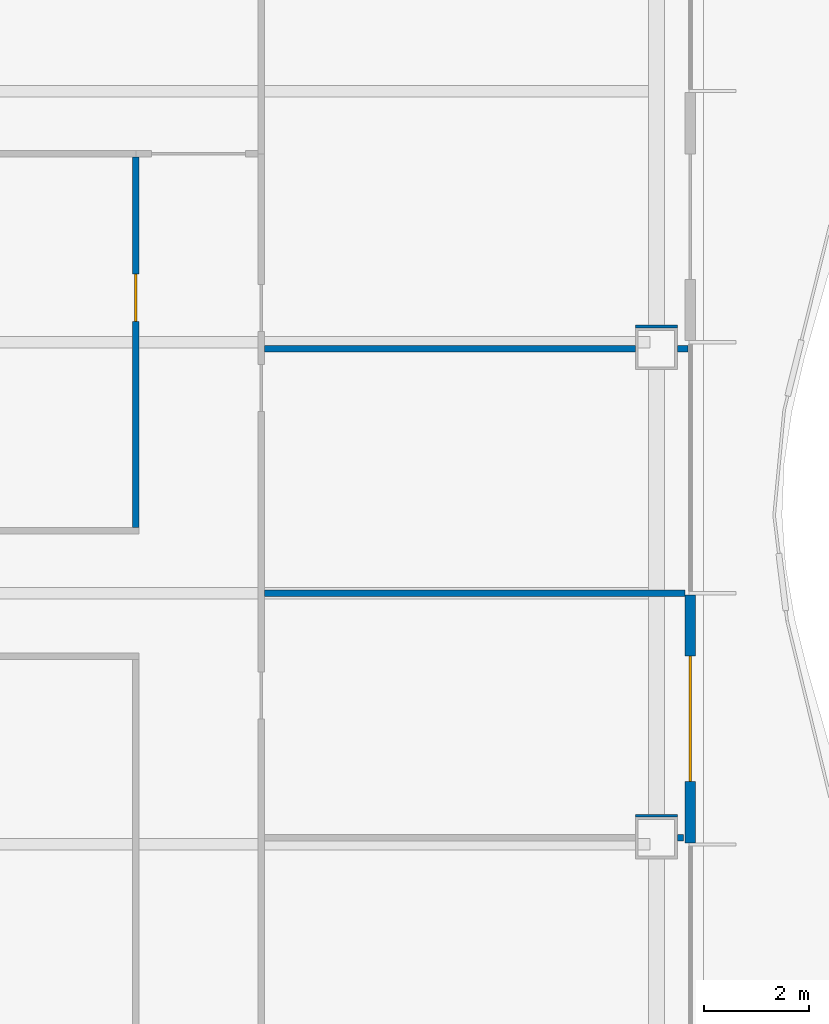
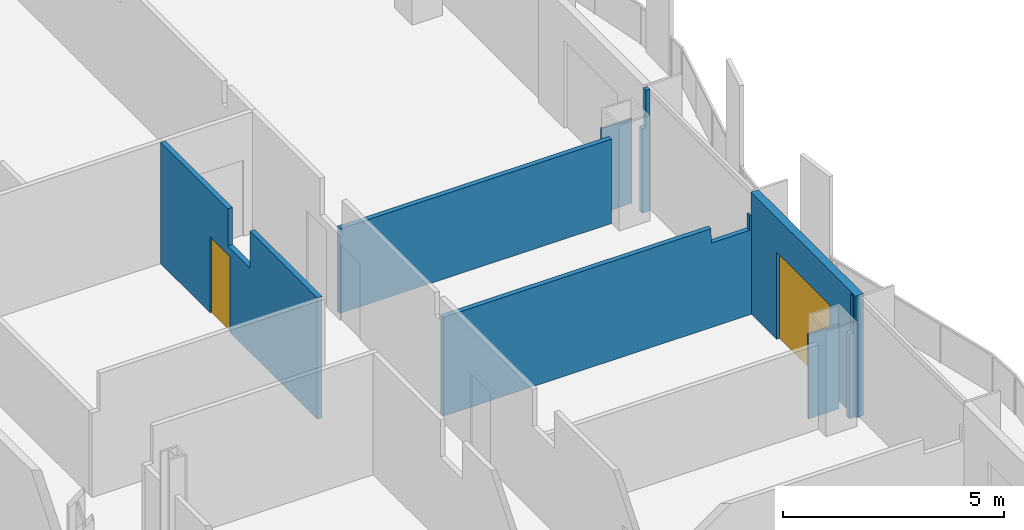
# One storey, part 12 of 23: 8 walls, 2 doors, 2 openings.
"""IFC4 building model written with IfcOpenShell, lengths in metres."""

import ifcopenshell
import ifcopenshell.guid

model = None  # the IFC model being written
_history = None  # IfcOwnerHistory: only IFC2X3 demands one
_inside = {}  # id of a spatial element -> (the spatial element, [elements in it])
_under = {}  # id of a project, library or spatial element -> (it, [spatial elements below it])
_declared = {}  # id of a project -> (the project, [libraries it declares])
_typed = {}  # id of a type object -> (the type object, [elements of that type])
_made_of = {}  # id of a material, layer set ... -> (it, [elements and type objects made of it])


def new_model(schema):
    """Start an empty IFC model of exactly this schema.

    Asked for "IFC4X3", IfcOpenShell would pick the latest addendum, in which some entities
    have other attributes; the version numbers below select the first issue.
    IFC2X3 requires an IfcOwnerHistory on every rooted entity: one is made here for all.
    """
    global model, _history
    if schema == "IFC4X3":
        model = ifcopenshell.file(schema_version=(4, 3, 0, 0))
    else:
        model = ifcopenshell.file(schema=schema)
    _inside.clear()
    _under.clear()
    _declared.clear()
    _typed.clear()
    _made_of.clear()
    _history = None
    if model.schema == "IFC2X3":
        org = make("IfcOrganization", Name="unknown")
        user = make(
            "IfcPersonAndOrganization",
            ThePerson=make("IfcPerson", FamilyName="unknown"),
            TheOrganization=org,
        )
        app = make(
            "IfcApplication",
            ApplicationDeveloper=org,
            Version="unknown",
            ApplicationFullName="unknown",
            ApplicationIdentifier="unknown",
        )
        _history = make(
            "IfcOwnerHistory",
            OwningUser=user,
            OwningApplication=app,
            ChangeAction="ADDED",
            CreationDate=0,
        )
    return model


def make(cls, **values):
    """One entity of the class cls with the attributes given. An attribute that is None is left unset."""
    return model.create_entity(
        cls, **{name: value for name, value in values.items() if value is not None}
    )


def rooted(cls, **values):
    """An entity with a GlobalId (a new one), such as an element, a storey or a relation."""
    return make(cls, GlobalId=ifcopenshell.guid.new(), OwnerHistory=_history, **values)


def si_unit(unit_type, name, prefix=None):
    """IfcSIUnit, for example si_unit("LENGTHUNIT", "METRE", prefix="MILLI")."""
    return make("IfcSIUnit", UnitType=unit_type, Prefix=prefix, Name=name)


def assignment(units):
    """IfcUnitAssignment: the units of a project."""
    return None if units is None else make("IfcUnitAssignment", Units=units)


def point(xyz):
    """IfcCartesianPoint."""
    return None if xyz is None else make("IfcCartesianPoint", Coordinates=xyz)


def direction(xyz):
    """IfcDirection."""
    return None if xyz is None else make("IfcDirection", DirectionRatios=xyz)


def frame(location, z_axis=None, x_axis=None):
    """IfcAxis2Placement3D, a coordinate frame: its origin and axes. An axis left out is left unset."""
    return make(
        "IfcAxis2Placement3D",
        Location=point(location),
        Axis=direction(z_axis),
        RefDirection=direction(x_axis),
    )


def frame_2d(location, x_axis=None):
    """IfcAxis2Placement2D, a coordinate frame in the plane: its origin and x axis."""
    return make(
        "IfcAxis2Placement2D", Location=point(location), RefDirection=direction(x_axis)
    )


def origin():
    """The frame at (0, 0, 0) with its axes left unset."""
    return frame((0.0, 0.0, 0.0))


def place(relative_to, where):
    """IfcLocalPlacement: puts the frame where relative to a parent placement (None: the world)."""
    return make(
        "IfcLocalPlacement", PlacementRelTo=relative_to, RelativePlacement=where
    )


def context(
    kind, dimensions, precision=None, world=None, true_north=None, identifier=None
):
    """IfcGeometricRepresentationContext, for example the 3D "Model" context."""
    return make(
        "IfcGeometricRepresentationContext",
        ContextIdentifier=identifier,
        ContextType=kind,
        CoordinateSpaceDimension=dimensions,
        Precision=precision,
        WorldCoordinateSystem=world,
        TrueNorth=true_north,
    )


def subcontext(parent, identifier, kind, view, scale=None):
    """IfcGeometricRepresentationSubContext, for example "Body" below "Model"."""
    return make(
        "IfcGeometricRepresentationSubContext",
        ContextIdentifier=identifier,
        ContextType=kind,
        ParentContext=parent,
        TargetScale=scale,
        TargetView=view,
    )


def project(units=None, contexts=None):
    """IfcProject with its units and contexts."""
    return rooted(
        "IfcProject",
        Name="project",
        RepresentationContexts=contexts,
        UnitsInContext=assignment(units),
    )


def spatial(cls, under=None, at=None, **own):
    """A site, building, storey or space (cls), placed at a placement, below another one or the project."""
    s = rooted(cls, ObjectPlacement=at, **own)
    if under is not None:
        _under.setdefault(under.id(), (under, []))[1].append(s)
    return s


def polyline(points):
    """IfcPolyline through the points."""
    return make("IfcPolyline", Points=[point(p) for p in points])


def profile(cls, at=None, kind="AREA", **sizes):
    """A parametric profile (cls). Its sizes go by their IFC names, for example OverallWidth=200.0."""
    return make(cls, ProfileType=kind, Position=at, **sizes)


def rectangle(**sizes):
    """IfcRectangleProfileDef."""
    return profile("IfcRectangleProfileDef", **sizes)


def outline(outer, holes=None, kind="AREA"):
    """IfcArbitraryClosedProfileDef: a profile drawn as a closed curve; with holes, ...WithVoids."""
    if holes is None:
        return make("IfcArbitraryClosedProfileDef", ProfileType=kind, OuterCurve=outer)
    return make(
        "IfcArbitraryProfileDefWithVoids",
        ProfileType=kind,
        OuterCurve=outer,
        InnerCurves=holes,
    )


def extrude(swept, where, along, depth):
    """IfcExtrudedAreaSolid: the profile swept, set in the frame where, extruded along a direction by depth."""
    return make(
        "IfcExtrudedAreaSolid",
        SweptArea=swept,
        Position=where,
        ExtrudedDirection=direction(along),
        Depth=depth,
    )


def shape(context_of_items, identifier, shape_type, items):
    """IfcShapeRepresentation: the items that make up one representation, for example the "Body"."""
    return make(
        "IfcShapeRepresentation",
        ContextOfItems=context_of_items,
        RepresentationIdentifier=identifier,
        RepresentationType=shape_type,
        Items=items,
    )


def material(Name=None, Category=None):
    """IfcMaterial."""
    return make("IfcMaterial", Name=Name, Category=Category)


def layer(
    of_material, thickness, ventilated=None, Name=None, Category=None, Priority=None
):
    """IfcMaterialLayer: one layer of a wall or slab, of a material (None: an air gap)."""
    return make(
        "IfcMaterialLayer",
        Material=of_material,
        LayerThickness=thickness,
        IsVentilated=ventilated,
        Name=Name,
        Category=Category,
        Priority=Priority,
    )


def layer_set(layers, Name=None):
    """IfcMaterialLayerSet."""
    return make("IfcMaterialLayerSet", MaterialLayers=layers, LayerSetName=Name)


def made_of(thing, what):
    """Note that an element or type object is made of a material, layer set ...; save() writes the relation."""
    if what is not None:
        _made_of.setdefault(what.id(), (what, []))[1].append(thing)
    return thing


def type_object(cls, material=None, **own):
    """A type object (cls), such as IfcWallType, which elements share."""
    return made_of(rooted(cls, **own), material)


def element(
    cls,
    number,
    at=None,
    inside=None,
    cuts=None,
    type_object=None,
    material=None,
    context=None,
    identifier="Body",
    shape_type=None,
    held_by="IfcProductDefinitionShape",
    body=None,
    shapes=None,
    **own,
):
    """One element of the class cls, such as IfcWall. Its Tag is "e" and its number.

    at: its placement. inside: the storey or other place that contains it. cuts: it is an
    opening in that element (IfcRelVoidsElement). A single representation is given by context,
    identifier, shape_type and body (its items); several are given by shapes. held_by: the class
    of the entity that holds the representations. save() writes the other relations.
    """
    e = rooted(cls, Tag="e%d" % number, ObjectPlacement=at, **own)
    if body is not None:
        shapes = [shape(context, identifier, shape_type, body)]
    if shapes is not None:
        e.Representation = make(held_by, Representations=shapes)
    if inside is not None:
        _inside.setdefault(inside.id(), (inside, []))[1].append(e)
    if cuts is not None:
        rooted(
            "IfcRelVoidsElement", RelatingBuildingElement=cuts, RelatedOpeningElement=e
        )
    if type_object is not None:
        _typed.setdefault(type_object.id(), (type_object, []))[1].append(e)
    return made_of(e, material)


def fill(opening, filler):
    """IfcRelFillsElement: the door or window that sits in an opening."""
    return rooted(
        "IfcRelFillsElement",
        RelatingOpeningElement=opening,
        RelatedBuildingElement=filler,
    )


def aggregate(whole, parts):
    """IfcRelAggregates: a whole, such as a stair, and the parts it consists of."""
    return rooted("IfcRelAggregates", RelatingObject=whole, RelatedObjects=parts)


def save(model, path):
    """Write the relations noted so far, then the file.

    IfcRelAggregates (storeys below a building ...), IfcRelContainedInSpatialStructure (elements
    in a storey), IfcRelDefinesByType, IfcRelAssociatesMaterial and IfcRelDeclares: one each for
    every whole, place, type object, material and project.
    """
    for whole, parts in _under.values():
        aggregate(whole, parts)
    for where, things in _inside.values():
        rooted(
            "IfcRelContainedInSpatialStructure",
            RelatedElements=things,
            RelatingStructure=where,
        )
    for kind, things in _typed.values():
        rooted("IfcRelDefinesByType", RelatedObjects=things, RelatingType=kind)
    for what, things in _made_of.values():
        rooted("IfcRelAssociatesMaterial", RelatedObjects=things, RelatingMaterial=what)
    for by, libraries in _declared.values():
        rooted("IfcRelDeclares", RelatingContext=by, RelatedDefinitions=libraries)
    model.write(path)


model = new_model("IFC4")

# Units and contexts
model_context = context("Model", 3, precision=1e-05, world=origin(), true_north=direction((0.0, 1.0)))
body_context = subcontext(model_context, "Body", "Model", "MODEL_VIEW")
ifc_project = project(units=[si_unit("LENGTHUNIT", "METRE"), si_unit("AREAUNIT", "SQUARE_METRE"), si_unit("VOLUMEUNIT", "CUBIC_METRE"), si_unit("PLANEANGLEUNIT", "RADIAN"), si_unit("MASSUNIT", "GRAM", prefix="KILO")], contexts=[model_context])

# Site, building, storey
site_placement = place(None, origin())
site = spatial("IfcSite", under=ifc_project, at=site_placement, CompositionType="ELEMENT")
building_placement = place(site_placement, origin())
building = spatial("IfcBuilding", under=site, at=building_placement, Name="Cairn Pilgrim Tower", CompositionType="ELEMENT")
storey_placement = place(building_placement, frame((0.0, 0.0, 115.800048828125)))
storey = spatial("IfcBuildingStorey", under=building, at=storey_placement, Name="L28", CompositionType="ELEMENT", Elevation=115.800048828125)

# Wall, opening, door
ifc_material_1 = material(Name="Bronze anodised aluminium insulated sandwich panel with mineral wool fill", Category="aluminium")
ifc_layer_1 = layer(ifc_material_1, 0.199951171875)
ifc_layer_set_1 = layer_set([ifc_layer_1], Name="BRONZE INFILL FRAME WALL 200")
wall_type_1 = type_object("IfcWallType", Name="BRONZE INFILL FRAME WALL 200", PredefinedType="NOTDEFINED", material=ifc_layer_set_1)
wall_1_placement = place(storey_placement, frame((35.75, 0.030029296875, 0.0), z_axis=(0.0, 0.0, 1.0), x_axis=(0.0, 1.0, 0.0)))
wall_1 = element("IfcWall", 1, at=wall_1_placement, inside=storey, type_object=wall_type_1, Name="Bronze infill frame wall IW-E3", PredefinedType="NOTDEFINED", context=body_context, shape_type="SweptSolid", body=[
    extrude(rectangle(XDim=4.739990234375, YDim=0.199951171875, at=frame_2d((2.3701171875, 0.0))), origin(), (0.0, 0.0, 1.0), 3.349853515625),
])
opening_1_placement = place(wall_1_placement, frame((1.169921875, 0.0, 0.0)))
opening_1 = element("IfcOpeningElement", 2, at=opening_1_placement, cuts=wall_1, Name="Opening 2826B", PredefinedType="OPENING", context=body_context, shape_type="SweptSolid", body=[
    extrude(rectangle(XDim=2.39990234375, YDim=2.39990234375, at=frame_2d((1.199951171875, 1.199951171875))), frame((0.0, 0.10986328125, 0.0), z_axis=(0.0, -1.0, 0.0), x_axis=(1.0, 0.0, 0.0)), (0.0, 0.0, 1.0), 0.219970703125),
])
ifc_material_2 = material(Name="Bronze anodised aluminium frame with tinted low-E glass", Category="aluminium")
door_type_1 = type_object("IfcDoorType", Name="BALCONY SLIDING DOOR 2400x2400", OperationType="DOUBLE_DOOR_SLIDING", PredefinedType="DOOR", material=ifc_material_2)
door_1_placement = place(opening_1_placement, origin())
door_1 = element("IfcDoor", 3, at=door_1_placement, inside=storey, type_object=door_type_1, Name="Balcony sliding door 2826B", OperationType="SINGLE_SWING_LEFT", OverallHeight=2.39990234375, OverallWidth=2.39990234375, PredefinedType="DOOR", context=body_context, shape_type="SweptSolid", body=[
    extrude(rectangle(XDim=2.39990234375, YDim=2.39990234375, at=frame_2d((1.199951171875, 1.199951171875))), frame((0.0, 0.02490234375, 0.0), z_axis=(0.0, -1.0, 0.0), x_axis=(1.0, 0.0, 0.0)), (0.0, 0.0, 1.0), 0.050048828125),
])
fill(opening_1, door_1)

# Walls
ifc_material_3 = material(Name="Gypsum partition")
ifc_layer_2 = layer(ifc_material_3, 0.125)
ifc_layer_set_2 = layer_set([ifc_layer_2], Name="PARTITION 125 DRYWALL EI 60")
wall_type_2 = type_object("IfcWallType", Name="PARTITION 125 DRYWALL EI 60", PredefinedType="PARTITIONING", material=ifc_layer_set_2)
wall_2_placement = place(storey_placement, frame((35.5, 0.1240234375, 0.0), z_axis=(0.0, 0.0, 1.0), x_axis=(1.0, 0.0, 0.0)))
element("IfcWall", 4, at=wall_2_placement, inside=storey, type_object=wall_type_2, Name="PARTITION W046", PredefinedType="PARTITIONING", context=body_context, shape_type="SweptSolid", body=[
    extrude(outline(polyline([(0.0, 0.0), (0.1201171875, 0.0), (0.1201171875, 3.349853515625), (0.10009765625, 3.349853515625), (0.097900390625, 2.329833984375), (0.0, 2.329833984375), (0.0, 0.0)])), frame((0.0, 0.0625, 0.0), z_axis=(0.0, -1.0, 0.0), x_axis=(1.0, 0.0, 0.0)), (0.0, 0.0, 1.0), 0.125),
])
wall_3_placement = place(storey_placement, frame((27.612548828125, 4.800048828125, 0.0), z_axis=(0.0, 0.0, 1.0), x_axis=(1.0, 0.0, 0.0)))
element("IfcWall", 5, at=wall_3_placement, inside=storey, type_object=wall_type_2, Name="PARTITION W055", PredefinedType="PARTITIONING", context=body_context, shape_type="SweptSolid", body=[
    extrude(outline(polyline([(0.0, 0.0), (8.037353515625, 0.0), (8.03759765625, 2.72998046875), (7.987548828125, 2.72998046875), (7.985595703125, 2.329833984375), (6.987548828125, 2.329833984375), (6.985595703125, 2.72998046875), (0.0, 2.72998046875), (0.0, 0.0)])), frame((0.0, 0.0625, 0.0), z_axis=(0.0, -1.0, 0.0), x_axis=(1.0, 0.0, 0.0)), (0.0, 0.0, 1.0), 0.125),
])

# Wall, opening, door
wall_4_placement = place(storey_placement, frame((25.14990234375, 6.0625, 0.0), z_axis=(0.0, 0.0, 1.0), x_axis=(0.0, 1.0, 0.0)))
wall_4 = element("IfcWall", 6, at=wall_4_placement, inside=storey, type_object=wall_type_2, Name="PARTITION W058", PredefinedType="PARTITIONING", context=body_context, shape_type="SweptSolid", body=[
    extrude(outline(polyline([(0.0, 0.0), (7.074951171875, 0.0), (7.074951171875, 3.349853515625), (4.03759765625, 3.349853515625), (4.035400390625, 2.329833984375), (3.03759765625, 2.329833984375), (3.035400390625, 3.349853515625), (0.0, 3.349853515625), (0.0, 0.0)])), frame((0.0, 0.0625, 0.0), z_axis=(0.0, -1.0, 0.0), x_axis=(1.0, 0.0, 0.0)), (0.0, 0.0, 1.0), 0.125),
])
opening_2_placement = place(wall_4_placement, frame((3.9375, 0.0, 0.0)))
opening_2 = element("IfcOpeningElement", 7, at=opening_2_placement, cuts=wall_4, Name="Opening 2829", PredefinedType="OPENING", context=body_context, shape_type="SweptSolid", body=[
    extrude(rectangle(XDim=0.89990234375, YDim=2.10009765625, at=frame_2d((0.449951171875, 1.050048828125))), frame((0.0, 0.072509765625, 0.0), z_axis=(0.0, -1.0, 0.0), x_axis=(1.0, 0.0, 0.0)), (0.0, 0.0, 1.0), 0.14501953125),
])
ifc_material_4 = material(Name="Steel-faced fire door leaf", Category="steel")
door_type_2 = type_object("IfcDoorType", Name="FIRE DOOR 900x2100 FD30S", OperationType="NOTDEFINED", PredefinedType="DOOR", material=ifc_material_4)
door_2_placement = place(opening_2_placement, origin())
door_2 = element("IfcDoor", 8, at=door_2_placement, inside=storey, type_object=door_type_2, Name="DOOR 2829", OperationType="SINGLE_SWING_RIGHT", OverallHeight=2.10009765625, OverallWidth=0.89990234375, PredefinedType="DOOR", context=body_context, shape_type="SweptSolid", body=[
    extrude(rectangle(XDim=0.89990234375, YDim=2.10009765625, at=frame_2d((0.449951171875, 1.050048828125))), frame((0.0, 0.02490234375, 0.0), z_axis=(0.0, -1.0, 0.0), x_axis=(1.0, 0.0, 0.0)), (0.0, 0.0, 1.0), 0.050048828125),
])
fill(opening_2, door_2)

# Walls
wall_5_placement = place(storey_placement, frame((27.612548828125, 9.47607421875, 0.0), z_axis=(0.0, 0.0, 1.0), x_axis=(1.0, 0.0, 0.0)))
element("IfcWall", 9, at=wall_5_placement, inside=storey, type_object=wall_type_2, Name="PARTITION W061", PredefinedType="PARTITIONING", context=body_context, shape_type="SweptSolid", body=[
    extrude(rectangle(XDim=7.08740234375, YDim=0.125, at=frame_2d((3.543701171875, 0.0))), origin(), (0.0, 0.0, 1.0), 2.329833984375),
])
wall_6_placement = place(storey_placement, frame((35.5, 9.47607421875, 0.0), z_axis=(0.0, 0.0, 1.0), x_axis=(1.0, 0.0, 0.0)))
element("IfcWall", 10, at=wall_6_placement, inside=storey, type_object=wall_type_2, Name="PARTITION W062", PredefinedType="PARTITIONING", context=body_context, shape_type="SweptSolid", body=[
    extrude(outline(polyline([(0.0, 0.0), (0.202880859375, 0.0), (0.202880859375, 3.349853515625), (0.10009765625, 3.349853515625), (0.097900390625, 2.329833984375), (0.0, 2.329833984375), (0.0, 0.0)])), frame((0.0, 0.0625, 0.0), z_axis=(0.0, -1.0, 0.0), x_axis=(1.0, 0.0, 0.0)), (0.0, 0.0, 1.0), 0.125),
])
ifc_layer_3 = layer(ifc_material_3, 0.050048828125)
ifc_layer_set_3 = layer_set([ifc_layer_3], Name="PARTITION 50 DRYWALL EI 60")
wall_type_3 = type_object("IfcWallType", Name="PARTITION 50 DRYWALL EI 60", PredefinedType="PARTITIONING", material=ifc_layer_set_3)
for number, where, z_axis, x_axis, name in (
    (11, (34.699951171875, 0.54931640625, 0.0), (0.0, 0.0, 1.0), (1.0, 0.0, 0.0), "COLUMN CASING WC18"),
    (12, (34.699951171875, 9.900634765625, 0.0), (0.0, 0.0, 1.0), (1.0, 0.0, 0.0), "COLUMN CASING WC24"),
):
    element("IfcWall", number, at=place(storey_placement, frame(where, z_axis=z_axis, x_axis=x_axis)), inside=storey, type_object=wall_type_3, Name=name, PredefinedType="PARTITIONING", context=body_context, shape_type="SweptSolid", body=[
        extrude(rectangle(XDim=0.800048828125, YDim=0.050048828125, at=frame_2d((0.39990234375, 0.0))), origin(), (0.0, 0.0, 1.0), 2.329833984375),
    ])

save(model, "model.ifc")
